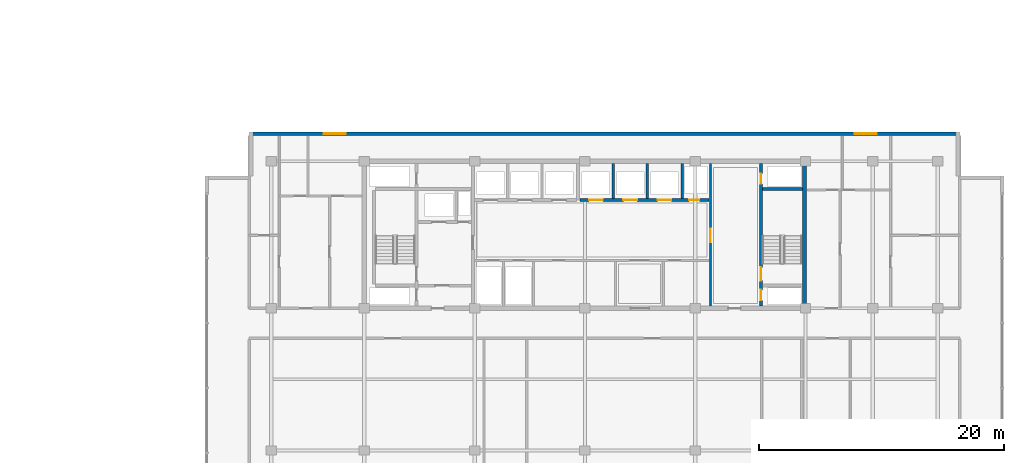
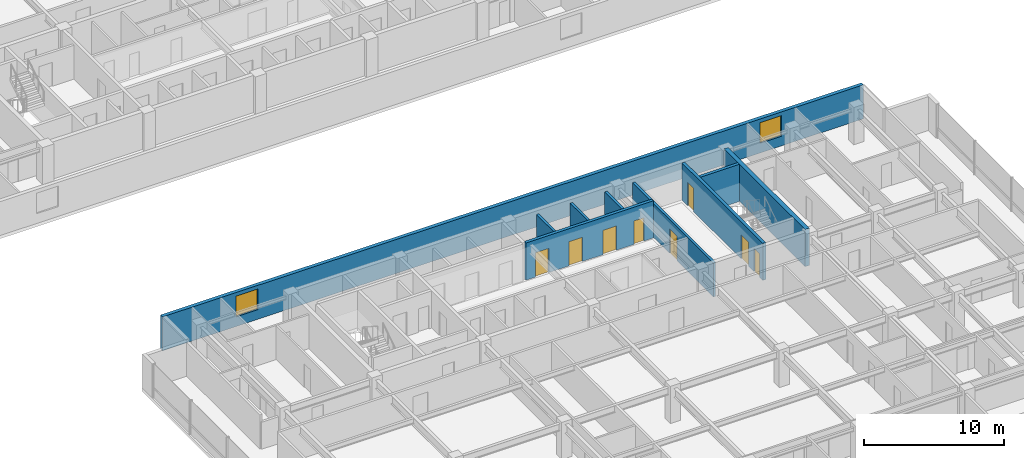
# One storey, part 24 of 38: 9 walls, 8 doors, 2 windows, 10 openings.
"""IFC4 building model written with IfcOpenShell, lengths in metres."""

from ifc_helpers import new_model, si_unit, direction, frame, frame_2d, origin, place, context, subcontext, project, spatial, rectangle, extrude, material, layer, layer_set, type_object, element, fill, save


model = new_model("IFC4")

# Units and contexts
model_context = context("Model", 3, precision=1e-05, world=origin(), true_north=direction((0.0, 1.0)))
body_context = subcontext(model_context, "Body", "Model", "MODEL_VIEW")
ifc_project = project(units=[si_unit("LENGTHUNIT", "METRE"), si_unit("AREAUNIT", "SQUARE_METRE"), si_unit("VOLUMEUNIT", "CUBIC_METRE"), si_unit("PLANEANGLEUNIT", "RADIAN"), si_unit("MASSUNIT", "GRAM", prefix="KILO")], contexts=[model_context])

# Site, building, storey
site_placement = place(None, origin())
site = spatial("IfcSite", under=ifc_project, at=site_placement, CompositionType="ELEMENT")
building_placement = place(site_placement, origin())
building = spatial("IfcBuilding", under=site, at=building_placement, Name="Korimba Cascade Residences", CompositionType="ELEMENT")
storey_placement = place(building_placement, frame((0.0, 0.0, 93.800048828125)))
storey = spatial("IfcBuildingStorey", under=building, at=storey_placement, Name="L26", CompositionType="ELEMENT", Elevation=93.800048828125)

# Wall, openings, windows
ifc_material_1 = material(Name="Precast concrete C40/50", Category="concrete")
ifc_layer_1 = layer(ifc_material_1, 0.300048828125)
ifc_layer_set_1 = layer_set([ifc_layer_1], Name="Precast concrete C40/50")
wall_type_1 = type_object("IfcWallType", Name="EW-STONE-300", PredefinedType="STANDARD", material=ifc_layer_set_1)
wall_1_placement = place(storey_placement, frame((130.699951171875, 32.64990234375, 0.0), z_axis=(0.0, 0.0, 1.0), x_axis=(-1.0, 0.0, 0.0)))
wall_1 = element("IfcWall", 1, at=wall_1_placement, inside=storey, type_object=wall_type_1, Name="L26 T2 Perimeter Stone Wall E06", PredefinedType="STANDARD", context=body_context, shape_type="SweptSolid", body=[
    extrude(rectangle(XDim=58.0, YDim=0.300048828125, at=frame_2d((29.0, 0.0))), origin(), (0.0, 0.0, 1.0), 2.969970703125),
])
opening_1_placement = place(wall_1_placement, frame((50.125, 0.0, 0.85009765625)))
opening_1 = element("IfcOpeningElement", 2, at=opening_1_placement, cuts=wall_1, Name="Opening W-02", PredefinedType="OPENING", context=body_context, shape_type="SweptSolid", body=[
    extrude(rectangle(XDim=1.800048828125, YDim=1.800048828125, at=frame_2d((0.89990234375, 0.89990234375))), frame((0.0, 0.16015625, 0.0), z_axis=(0.0, -1.0, 0.0), x_axis=(1.0, 0.0, 0.0)), (0.0, 0.0, 1.0), 0.320068359375),
])
opening_2_placement = place(wall_1_placement, frame((6.77490234375, 0.0, 0.85009765625)))
opening_2 = element("IfcOpeningElement", 3, at=opening_2_placement, cuts=wall_1, Name="Opening W-02", PredefinedType="OPENING", context=body_context, shape_type="SweptSolid", body=[
    extrude(rectangle(XDim=1.800048828125, YDim=1.800048828125, at=frame_2d((0.89990234375, 0.89990234375))), frame((0.0, 0.16015625, 0.0), z_axis=(0.0, -1.0, 0.0), x_axis=(1.0, 0.0, 0.0)), (0.0, 0.0, 1.0), 0.320068359375),
])
ifc_material_2 = material(Name="Double-Glazed Aluminium Window", Category="aluminium")
window_type = type_object("IfcWindowType", Name="WIN-BED-1800", PartitioningType="SINGLE_PANEL", PredefinedType="WINDOW", material=ifc_material_2)
window_1_placement = place(opening_1_placement, origin())
window_1 = element("IfcWindow", 4, at=window_1_placement, inside=storey, type_object=window_type, Name="L26 T2 North Corner Bedroom Window 1", OverallHeight=1.800048828125, OverallWidth=1.800048828125, PartitioningType="SINGLE_PANEL", PredefinedType="WINDOW", context=body_context, shape_type="SweptSolid", body=[
    extrude(rectangle(XDim=1.800048828125, YDim=1.800048828125, at=frame_2d((0.89990234375, 0.89990234375))), frame((0.0, 0.030029296875, 0.0), z_axis=(0.0, -1.0, 0.0), x_axis=(1.0, 0.0, 0.0)), (0.0, 0.0, 1.0), 0.06005859375),
])
fill(opening_1, window_1)
window_2_placement = place(opening_2_placement, origin())
window_2 = element("IfcWindow", 5, at=window_2_placement, inside=storey, type_object=window_type, Name="L26 T2 North Corner Bedroom Window 2", OverallHeight=1.800048828125, OverallWidth=1.800048828125, PartitioningType="SINGLE_PANEL", PredefinedType="WINDOW", context=body_context, shape_type="SweptSolid", body=[
    extrude(rectangle(XDim=1.800048828125, YDim=1.800048828125, at=frame_2d((0.89990234375, 0.89990234375))), frame((0.0, 0.030029296875, 0.0), z_axis=(0.0, -1.0, 0.0), x_axis=(1.0, 0.0, 0.0)), (0.0, 0.0, 1.0), 0.06005859375),
])
fill(opening_2, window_2)

# Walls
ifc_material_3 = material(Name="Concrete C65/80", Category="concrete")
ifc_layer_2 = layer(ifc_material_3, 0.35009765625)
ifc_layer_set_2 = layer_set([ifc_layer_2], Name="Concrete C65/80")
wall_type_2 = type_object("IfcWallType", Name="WAL-CORE-350", PredefinedType="SHEAR", material=ifc_layer_set_2)
wall_2_placement = place(storey_placement, frame((118.014892578125, 18.574951171875, 0.0), z_axis=(0.0, 0.0, 1.0), x_axis=(0.0, 1.0, 0.0)))
element("IfcWall", 6, at=wall_2_placement, inside=storey, type_object=wall_type_2, Name="L26 Core Shear Wall CW-L26-T2-E", PredefinedType="SHEAR", context=body_context, shape_type="SweptSolid", body=[
    extrude(rectangle(XDim=11.650146484375, YDim=0.35009765625, at=frame_2d((5.8251953125, 0.0))), origin(), (0.0, 0.0, 1.0), 3.25),
])
ifc_material_4 = material(Name="Concrete C40/50", Category="concrete")
ifc_layer_3 = layer(ifc_material_4, 0.199951171875)
ifc_layer_set_3 = layer_set([ifc_layer_3], Name="Concrete C40/50")
wall_type_3 = type_object("IfcWallType", Name="WAL-PART-200", PredefinedType="PARTITIONING", material=ifc_layer_set_3)
for number, where, z_axis, x_axis, name in (
    (7, (102.39990234375, 27.3798828125, 0.0), (0.0, 0.0, 1.0), (0.0, 1.0, 0.0), "L26 Partition Wall CW-L26-T2-B2D1"),
    (8, (105.199951171875, 27.3798828125, 0.0), (0.0, 0.0, 1.0), (0.0, 1.0, 0.0), "L26 Partition Wall CW-L26-T2-B2D2"),
    (9, (108.050048828125, 27.3798828125, 0.0), (0.0, 0.0, 1.0), (0.0, 1.0, 0.0), "L26 Partition Wall CW-L26-T2-B2D3"),
):
    element("IfcWall", number, at=place(storey_placement, frame(where, z_axis=z_axis, x_axis=x_axis)), inside=storey, type_object=wall_type_3, Name=name, PredefinedType="PARTITIONING", context=body_context, shape_type="SweptSolid", body=[
        extrude(rectangle(XDim=2.820068359375, YDim=0.199951171875, at=frame_2d((1.41015625, 0.0))), origin(), (0.0, 0.0, 1.0), 2.969970703125),
    ])

# Wall, opening, door
wall_3_placement = place(storey_placement, frame((110.35009765625, 18.60009765625, 0.0), z_axis=(0.0, 0.0, 1.0), x_axis=(0.0, 1.0, 0.0)))
wall_3 = element("IfcWall", 10, at=wall_3_placement, inside=storey, type_object=wall_type_3, Name="L26 Partition Wall CW-L26-T2-LLEV", PredefinedType="PARTITIONING", context=body_context, shape_type="SweptSolid", body=[
    extrude(rectangle(XDim=11.599853515625, YDim=0.199951171875, at=frame_2d((5.7998046875, 0.0))), origin(), (0.0, 0.0, 1.0), 2.969970703125),
])
opening_3_placement = place(wall_3_placement, frame((5.199951171875, 0.0, 0.0)))
opening_3 = element("IfcOpeningElement", 11, at=opening_3_placement, cuts=wall_3, Name="Opening D-FD6", PredefinedType="OPENING", context=body_context, shape_type="SweptSolid", body=[
    extrude(rectangle(XDim=1.10009765625, YDim=2.14990234375, at=frame_2d((0.550048828125, 1.074951171875))), frame((0.0, 0.10986328125, 0.0), z_axis=(0.0, -1.0, 0.0), x_axis=(1.0, 0.0, 0.0)), (0.0, 0.0, 1.0), 0.219970703125),
])
ifc_material_5 = material(Name="Fire-Rated Timber Stair Lobby Door", Category="wood")
door_type_1 = type_object("IfcDoorType", Name="DR-FD90-1100", OperationType="NOTDEFINED", PredefinedType="DOOR", material=ifc_material_5)
door_1_placement = place(opening_3_placement, origin())
door_1 = element("IfcDoor", 12, at=door_1_placement, inside=storey, type_object=door_type_1, Name="L26 T2 Lift Lobby to East Stair Lobby Door", OperationType="SINGLE_SWING_LEFT", OverallHeight=2.14990234375, OverallWidth=1.10009765625, PredefinedType="DOOR", context=body_context, shape_type="SweptSolid", body=[
    extrude(rectangle(XDim=1.10009765625, YDim=2.14990234375, at=frame_2d((0.550048828125, 1.074951171875))), frame((0.0, 0.02490234375, 0.0), z_axis=(0.0, -1.0, 0.0), x_axis=(1.0, 0.0, 0.0)), (0.0, 0.0, 1.0), 0.050048828125),
])
fill(opening_3, door_1)

# Wall, openings, doors
ifc_material_6 = material(Name="Concrete C50/60", Category="concrete")
ifc_layer_4 = layer(ifc_material_6, 0.25)
ifc_layer_set_4 = layer_set([ifc_layer_4], Name="Concrete C50/60")
wall_type_4 = type_object("IfcWallType", Name="WAL-SHAFT-250", PredefinedType="SHEAR", material=ifc_layer_set_4)
wall_4_placement = place(storey_placement, frame((99.679931640625, 27.25, 0.0), z_axis=(0.0, 0.0, 1.0), x_axis=(1.0, 0.0, 0.0)))
wall_4 = element("IfcWall", 13, at=wall_4_placement, inside=storey, type_object=wall_type_4, Name="L26 Core Shear Wall CW-L26-T2-B2S", PredefinedType="SHEAR", context=body_context, shape_type="SweptSolid", body=[
    extrude(rectangle(XDim=10.5400390625, YDim=0.25, at=frame_2d((5.27001953125, 0.0))), origin(), (0.0, 0.0, 1.0), 3.25),
])
opening_4_placement = place(wall_4_placement, frame((0.760009765625, 0.0, 0.0)))
opening_4 = element("IfcOpeningElement", 14, at=opening_4_placement, cuts=wall_4, Name="Opening LD-01", PredefinedType="OPENING", context=body_context, shape_type="SweptSolid", body=[
    extrude(rectangle(XDim=1.1201171875, YDim=2.1201171875, at=frame_2d((0.56005859375, 1.06005859375))), frame((0.0, 0.135009765625, 0.0), z_axis=(0.0, -1.0, 0.0), x_axis=(1.0, 0.0, 0.0)), (0.0, 0.0, 1.0), 0.27001953125),
])
opening_5_placement = place(wall_4_placement, frame((3.56005859375, 0.0, 0.0)))
opening_5 = element("IfcOpeningElement", 15, at=opening_5_placement, cuts=wall_4, Name="Opening LD-01", PredefinedType="OPENING", context=body_context, shape_type="SweptSolid", body=[
    extrude(rectangle(XDim=1.1201171875, YDim=2.1201171875, at=frame_2d((0.56005859375, 1.06005859375))), frame((0.0, 0.135009765625, 0.0), z_axis=(0.0, -1.0, 0.0), x_axis=(1.0, 0.0, 0.0)), (0.0, 0.0, 1.0), 0.27001953125),
])
opening_6_placement = place(wall_4_placement, frame((6.360107421875, 0.0, 0.0)))
opening_6 = element("IfcOpeningElement", 16, at=opening_6_placement, cuts=wall_4, Name="Opening LD-01", PredefinedType="OPENING", context=body_context, shape_type="SweptSolid", body=[
    extrude(rectangle(XDim=1.1201171875, YDim=2.1201171875, at=frame_2d((0.56005859375, 1.06005859375))), frame((0.0, 0.135009765625, 0.0), z_axis=(0.0, -1.0, 0.0), x_axis=(1.0, 0.0, 0.0)), (0.0, 0.0, 1.0), 0.27001953125),
])
opening_7_placement = place(wall_4_placement, frame((8.919921875, 0.0, 0.0)))
opening_7 = element("IfcOpeningElement", 17, at=opening_7_placement, cuts=wall_4, Name="Opening D-RS1", PredefinedType="OPENING", context=body_context, shape_type="SweptSolid", body=[
    extrude(rectangle(XDim=0.85009765625, YDim=2.050048828125, at=frame_2d((0.425048828125, 1.02490234375))), frame((0.0, 0.135009765625, 0.0), z_axis=(0.0, -1.0, 0.0), x_axis=(1.0, 0.0, 0.0)), (0.0, 0.0, 1.0), 0.27001953125),
])
ifc_material_7 = material(Name="Fire-Rated Steel Riser Access Door", Category="steel")
door_type_2 = type_object("IfcDoorType", Name="DR-FD60-850", OperationType="NOTDEFINED", PredefinedType="DOOR", material=ifc_material_7)
door_2_placement = place(opening_7_placement, origin())
door_2 = element("IfcDoor", 18, at=door_2_placement, inside=storey, type_object=door_type_2, Name="L26 T2 Duct Door", OperationType="SINGLE_SWING_RIGHT", OverallHeight=2.050048828125, OverallWidth=0.85009765625, PredefinedType="DOOR", context=body_context, shape_type="SweptSolid", body=[
    extrude(rectangle(XDim=0.85009765625, YDim=2.050048828125, at=frame_2d((0.425048828125, 1.02490234375))), frame((0.0, 0.02490234375, 0.0), z_axis=(0.0, -1.0, 0.0), x_axis=(1.0, 0.0, 0.0)), (0.0, 0.0, 1.0), 0.050048828125),
])
fill(opening_7, door_2)
ifc_material_8 = material(Name="Stainless Steel Lift Landing Sliding Door", Category="steel")
door_type_3 = type_object("IfcDoorType", Name="DR-LIFT-1100", OperationType="NOTDEFINED", PredefinedType="DOOR", material=ifc_material_8)
door_3_placement = place(opening_4_placement, origin())
door_3 = element("IfcDoor", 19, at=door_3_placement, inside=storey, type_object=door_type_3, Name="L26 Lift Landing Door PL-E4", OperationType="SLIDING_TO_RIGHT", OverallHeight=2.1201171875, OverallWidth=1.1201171875, PredefinedType="DOOR", context=body_context, shape_type="SweptSolid", body=[
    extrude(rectangle(XDim=1.1201171875, YDim=2.1201171875, at=frame_2d((0.56005859375, 1.06005859375))), frame((0.0, 0.02490234375, 0.0), z_axis=(0.0, -1.0, 0.0), x_axis=(1.0, 0.0, 0.0)), (0.0, 0.0, 1.0), 0.050048828125),
])
fill(opening_4, door_3)
door_4_placement = place(opening_5_placement, origin())
door_4 = element("IfcDoor", 20, at=door_4_placement, inside=storey, type_object=door_type_3, Name="L26 Lift Landing Door PL-E5", OperationType="SLIDING_TO_RIGHT", OverallHeight=2.1201171875, OverallWidth=1.1201171875, PredefinedType="DOOR", context=body_context, shape_type="SweptSolid", body=[
    extrude(rectangle(XDim=1.1201171875, YDim=2.1201171875, at=frame_2d((0.56005859375, 1.06005859375))), frame((0.0, 0.02490234375, 0.0), z_axis=(0.0, -1.0, 0.0), x_axis=(1.0, 0.0, 0.0)), (0.0, 0.0, 1.0), 0.050048828125),
])
fill(opening_5, door_4)
door_5_placement = place(opening_6_placement, origin())
door_5 = element("IfcDoor", 21, at=door_5_placement, inside=storey, type_object=door_type_3, Name="L26 Lift Landing Door PL-E6", OperationType="SLIDING_TO_RIGHT", OverallHeight=2.1201171875, OverallWidth=1.1201171875, PredefinedType="DOOR", context=body_context, shape_type="SweptSolid", body=[
    extrude(rectangle(XDim=1.1201171875, YDim=2.1201171875, at=frame_2d((0.56005859375, 1.06005859375))), frame((0.0, 0.02490234375, 0.0), z_axis=(0.0, -1.0, 0.0), x_axis=(1.0, 0.0, 0.0)), (0.0, 0.0, 1.0), 0.050048828125),
])
fill(opening_6, door_5)

wall_5_placement = place(storey_placement, frame((114.47509765625, 18.60009765625, 0.0), z_axis=(0.0, 0.0, 1.0), x_axis=(0.0, 1.0, 0.0)))
wall_5 = element("IfcWall", 22, at=wall_5_placement, inside=storey, type_object=wall_type_4, Name="L26 Core Shear Wall CW-L26-T2-STE2W", PredefinedType="SHEAR", context=body_context, shape_type="SweptSolid", body=[
    extrude(rectangle(XDim=11.599853515625, YDim=0.25, at=frame_2d((5.7998046875, 0.0))), origin(), (0.0, 0.0, 1.0), 3.25),
])
opening_8_placement = place(wall_5_placement, frame((0.449951171875, 0.0, 0.0)))
opening_8 = element("IfcOpeningElement", 23, at=opening_8_placement, cuts=wall_5, Name="Opening D-RS1", PredefinedType="OPENING", context=body_context, shape_type="SweptSolid", body=[
    extrude(rectangle(XDim=0.85009765625, YDim=2.050048828125, at=frame_2d((0.425048828125, 1.02490234375))), frame((0.0, 0.135009765625, 0.0), z_axis=(0.0, -1.0, 0.0), x_axis=(1.0, 0.0, 0.0)), (0.0, 0.0, 1.0), 0.27001953125),
])
opening_9_placement = place(wall_5_placement, frame((2.050048828125, 0.0, 0.0)))
opening_9 = element("IfcOpeningElement", 24, at=opening_9_placement, cuts=wall_5, Name="Opening D-FD1", PredefinedType="OPENING", context=body_context, shape_type="SweptSolid", body=[
    extrude(rectangle(XDim=1.10009765625, YDim=2.10009765625, at=frame_2d((0.550048828125, 1.050048828125))), frame((0.0, 0.135009765625, 0.0), z_axis=(0.0, -1.0, 0.0), x_axis=(1.0, 0.0, 0.0)), (0.0, 0.0, 1.0), 0.27001953125),
])
opening_10_placement = place(wall_5_placement, frame((9.949951171875, 0.0, 0.0)))
opening_10 = element("IfcOpeningElement", 25, at=opening_10_placement, cuts=wall_5, Name="Opening D-RS1", PredefinedType="OPENING", context=body_context, shape_type="SweptSolid", body=[
    extrude(rectangle(XDim=0.85009765625, YDim=2.050048828125, at=frame_2d((0.425048828125, 1.02490234375))), frame((0.0, 0.135009765625, 0.0), z_axis=(0.0, -1.0, 0.0), x_axis=(1.0, 0.0, 0.0)), (0.0, 0.0, 1.0), 0.27001953125),
])
ifc_material_9 = material(Name="Fire-Rated Steel Core Door", Category="steel")
door_type_4 = type_object("IfcDoorType", Name="DR-FD120-1100", OperationType="NOTDEFINED", PredefinedType="DOOR", material=ifc_material_9)
door_6_placement = place(opening_9_placement, origin())
door_6 = element("IfcDoor", 26, at=door_6_placement, inside=storey, type_object=door_type_4, Name="L26 Fire Stair ST-E2 Door", OperationType="SINGLE_SWING_LEFT", OverallHeight=2.10009765625, OverallWidth=1.10009765625, PredefinedType="DOOR", context=body_context, shape_type="SweptSolid", body=[
    extrude(rectangle(XDim=1.10009765625, YDim=2.10009765625, at=frame_2d((0.550048828125, 1.050048828125))), frame((0.0, 0.02490234375, 0.0), z_axis=(0.0, -1.0, 0.0), x_axis=(1.0, 0.0, 0.0)), (0.0, 0.0, 1.0), 0.050048828125),
])
fill(opening_9, door_6)
door_7_placement = place(opening_8_placement, origin())
door_7 = element("IfcDoor", 27, at=door_7_placement, inside=storey, type_object=door_type_2, Name="L26 T2 East Hydrant Door", OperationType="SINGLE_SWING_RIGHT", OverallHeight=2.050048828125, OverallWidth=0.85009765625, PredefinedType="DOOR", context=body_context, shape_type="SweptSolid", body=[
    extrude(rectangle(XDim=0.85009765625, YDim=2.050048828125, at=frame_2d((0.425048828125, 1.02490234375))), frame((0.0, 0.02490234375, 0.0), z_axis=(0.0, -1.0, 0.0), x_axis=(1.0, 0.0, 0.0)), (0.0, 0.0, 1.0), 0.050048828125),
])
fill(opening_8, door_7)
door_8_placement = place(opening_10_placement, origin())
door_8 = element("IfcDoor", 28, at=door_8_placement, inside=storey, type_object=door_type_2, Name="L26 T2 East Riser Door", OperationType="SINGLE_SWING_RIGHT", OverallHeight=2.050048828125, OverallWidth=0.85009765625, PredefinedType="DOOR", context=body_context, shape_type="SweptSolid", body=[
    extrude(rectangle(XDim=0.85009765625, YDim=2.050048828125, at=frame_2d((0.425048828125, 1.02490234375))), frame((0.0, 0.02490234375, 0.0), z_axis=(0.0, -1.0, 0.0), x_axis=(1.0, 0.0, 0.0)), (0.0, 0.0, 1.0), 0.050048828125),
])
fill(opening_10, door_8)

# Wall
wall_6_placement = place(storey_placement, frame((114.60009765625, 28.125, 0.0), z_axis=(0.0, 0.0, 1.0), x_axis=(1.0, 0.0, 0.0)))
element("IfcWall", 29, at=wall_6_placement, inside=storey, type_object=wall_type_4, Name="L26 Core Shear Wall CW-L26-T2-STE2N", PredefinedType="SHEAR", context=body_context, shape_type="SweptSolid", body=[
    extrude(rectangle(XDim=3.239990234375, YDim=0.25, at=frame_2d((1.6201171875, 0.0))), origin(), (0.0, 0.0, 1.0), 3.25),
])

save(model, "model.ifc")
